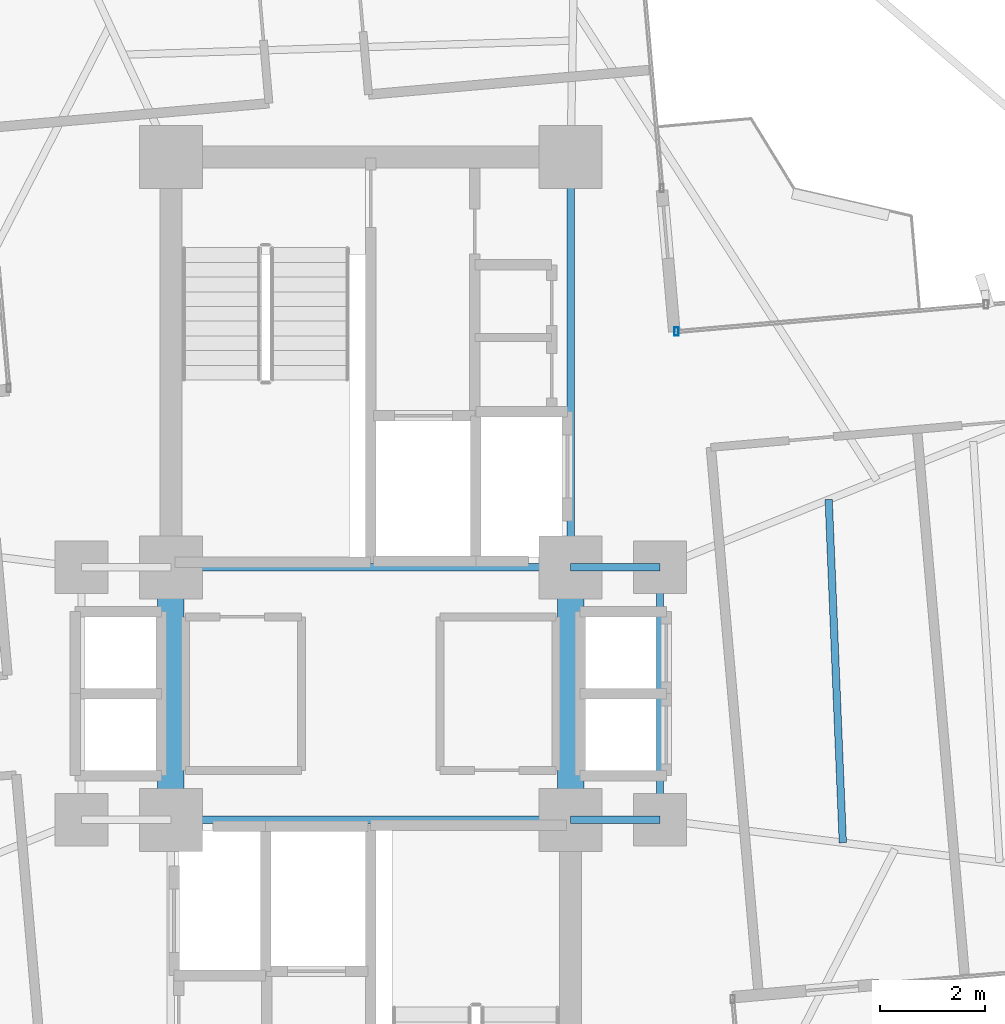
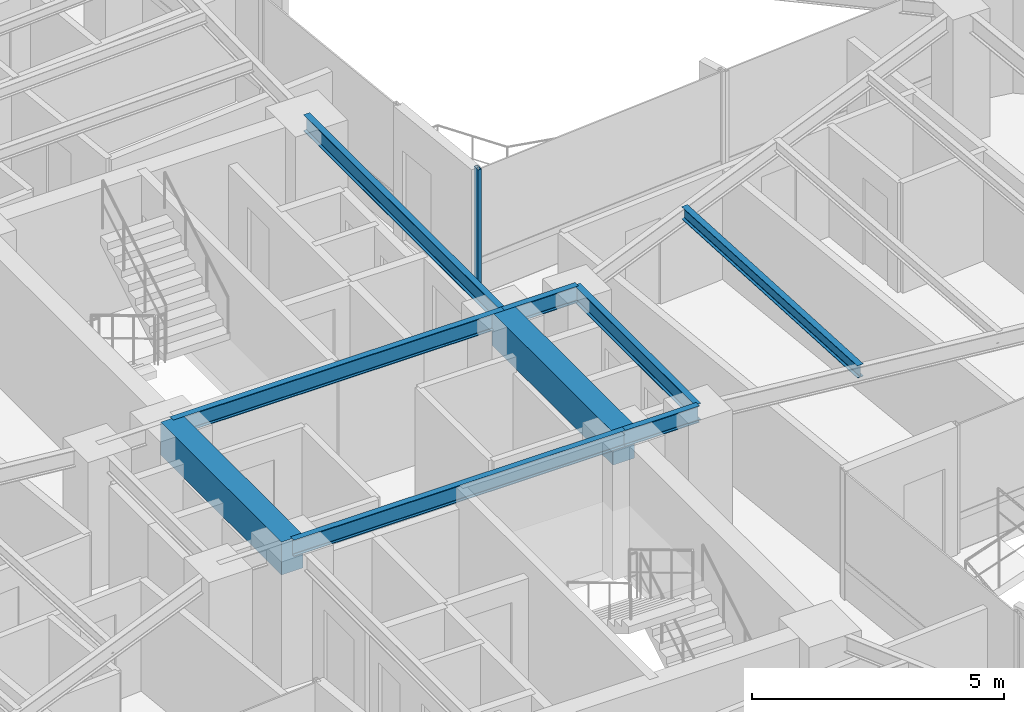
# One storey, part 11 of 24: 9 beams, 1 member, 1 element without a shape of its own.
"""IFC4 building model written with IfcOpenShell, lengths in metres."""

from ifc_helpers import new_model, si_unit, direction, frame, origin, origin_2d, place, context, subcontext, project, spatial, rectangle, hollow_rectangle, i_section, extrude, source, transform, mapped, material, material_profile, profile_set, type_object, element, aggregate, save


model = new_model("IFC4")

# Units and contexts
model_context = context("Model", 3, precision=1e-05, world=origin(), true_north=direction((0.0, 1.0)))
body_context = subcontext(model_context, "Body", "Model", "MODEL_VIEW")
ifc_project = project(units=[si_unit("LENGTHUNIT", "METRE"), si_unit("AREAUNIT", "SQUARE_METRE"), si_unit("VOLUMEUNIT", "CUBIC_METRE"), si_unit("PLANEANGLEUNIT", "RADIAN"), si_unit("MASSUNIT", "GRAM", prefix="KILO")], contexts=[model_context])

# Site, building, storey
site_placement = place(None, origin())
site = spatial("IfcSite", under=ifc_project, at=site_placement, CompositionType="ELEMENT")
building_placement = place(site_placement, origin())
building = spatial("IfcBuilding", under=site, at=building_placement, Name="Sahyath Konkavel Grand Hotel", CompositionType="ELEMENT")
storey_placement = place(building_placement, frame((0.0, 0.0, 153.949951171875)))
storey = spatial("IfcBuildingStorey", under=building, at=storey_placement, Name="L42", CompositionType="ELEMENT", Elevation=153.949951171875)

# Beams
ifc_material_1 = material(Name="Steel E350", Category="steel")
ifc_material_profile_1 = material_profile(ifc_material_1, i_section(OverallWidth=0.139892578125, OverallDepth=0.39990234375, WebThickness=0.0087890625, FlangeThickness=0.01611328125, FilletRadius=0.013916015625, at=origin_2d()), Name="ISMB 400")
ifc_profile_set_1 = profile_set([ifc_material_profile_1], Name="Steel E350")
beam_type_1 = type_object("IfcBeamType", Name="BM-ISMB400", PredefinedType="BEAM", material=ifc_profile_set_1)
shared_shape_1 = source(origin(), body_context, "Body", "SweptSolid", [
    extrude(i_section(OverallWidth=0.139892578125, OverallDepth=0.39990234375, WebThickness=0.0087890625, FlangeThickness=0.01611328125, FilletRadius=0.013916015625, at=origin_2d()), origin(), (0.0, 0.0, 1.0), 7.60009765625),
])
for number, where, z_axis, x_axis, name in (
    (1, (-3.800048828125, 2.39990234375, 2.91015625), (1.0, 0.0, 0.0), (0.0, 1.0, 0.0), "str:bm:L42:NC-S"),
    (2, (-3.800048828125, -2.39990234375, 2.91015625), (1.0, 0.0, 0.0), (0.0, 1.0, 0.0), "str:bm:L42:SC-N"),
):
    element("IfcBeam", number, at=place(storey_placement, frame(where, z_axis=z_axis, x_axis=x_axis)), inside=storey, type_object=beam_type_1, Name=name, PredefinedType="BEAM", context=body_context, shape_type="MappedRepresentation", body=[
        mapped(shared_shape_1, transform((0.0, 0.0, 0.0), scale=1.0)),
    ])
shared_shape_2 = source(origin(), body_context, "Body", "SweptSolid", [
    extrude(i_section(OverallWidth=0.139892578125, OverallDepth=0.39990234375, WebThickness=0.0087890625, FlangeThickness=0.01611328125, FilletRadius=0.013916015625, at=origin_2d()), origin(), (0.0, 0.0, 1.0), 7.800048828125),
])
beam_1_placement = place(storey_placement, frame((3.800048828125, 2.39990234375, 2.91015625), z_axis=(0.0, 1.0, 0.0), x_axis=(-1.0, 0.0, 0.0)))
element("IfcBeam", 3, at=beam_1_placement, inside=storey, type_object=beam_type_1, Name="str:bm:L42:NC-E", PredefinedType="BEAM", context=body_context, shape_type="MappedRepresentation", body=[
    mapped(shared_shape_2, transform((0.0, 0.0, 0.0), scale=1.0)),
])
shared_shape_3 = source(origin(), body_context, "Body", "SweptSolid", [
    extrude(i_section(OverallWidth=0.139892578125, OverallDepth=0.39990234375, WebThickness=0.0087890625, FlangeThickness=0.01611328125, FilletRadius=0.013916015625, at=origin_2d()), origin(), (0.0, 0.0, 1.0), 1.699951171875),
])
for number, where, z_axis, x_axis, name in (
    (4, (3.800048828125, 2.39990234375, 2.91015625), (1.0, 0.0, 0.0), (0.0, 1.0, 0.0), "str:bm:L42:HB-NE"),
    (5, (3.800048828125, -2.39990234375, 2.91015625), (1.0, 0.0, 0.0), (0.0, 1.0, 0.0), "str:bm:L42:HB-SE"),
):
    element("IfcBeam", number, at=place(storey_placement, frame(where, z_axis=z_axis, x_axis=x_axis)), inside=storey, type_object=beam_type_1, Name=name, PredefinedType="BEAM", context=body_context, shape_type="MappedRepresentation", body=[
        mapped(shared_shape_3, transform((0.0, 0.0, 0.0), scale=1.0)),
    ])
shared_shape_4 = source(origin(), body_context, "Body", "SweptSolid", [
    extrude(i_section(OverallWidth=0.139892578125, OverallDepth=0.39990234375, WebThickness=0.0087890625, FlangeThickness=0.01611328125, FilletRadius=0.013916015625, at=origin_2d()), origin(), (0.0, 0.0, 1.0), 4.7998046875),
])
beam_2_placement = place(storey_placement, frame((5.5, -2.39990234375, 2.91015625), z_axis=(0.0, 1.0, 0.0), x_axis=(-1.0, 0.0, 0.0)))
element("IfcBeam", 6, at=beam_2_placement, inside=storey, type_object=beam_type_1, Name="str:bm:L42:HB-E", PredefinedType="BEAM", context=body_context, shape_type="MappedRepresentation", body=[
    mapped(shared_shape_4, transform((0.0, 0.0, 0.0), scale=1.0)),
])
ifc_material_2 = material(Name="Concrete C50/60", Category="concrete")
ifc_material_profile_2 = material_profile(ifc_material_2, rectangle(XDim=0.5, YDim=0.800048828125, at=origin_2d()), Name="RC 500x800")
ifc_profile_set_2 = profile_set([ifc_material_profile_2], Name="Concrete C50/60")
beam_type_2 = type_object("IfcBeamType", Name="BM-CB500x800", PredefinedType="LINTEL", material=ifc_profile_set_2)
shared_shape_5 = source(origin(), body_context, "Body", "SweptSolid", [
    extrude(rectangle(XDim=0.5, YDim=0.800048828125, at=origin_2d()), origin(), (0.0, 0.0, 1.0), 4.7998046875),
])
for number, where, z_axis, x_axis, name in (
    (7, (-3.800048828125, -2.39990234375, 2.7099609375), (0.0, 1.0, 0.0), (-1.0, 0.0, 0.0), "L42 Split-Core Coupling Beam West"),
    (8, (3.800048828125, -2.39990234375, 2.7099609375), (0.0, 1.0, 0.0), (-1.0, 0.0, 0.0), "L42 Split-Core Coupling Beam East"),
):
    element("IfcBeam", number, at=place(storey_placement, frame(where, z_axis=z_axis, x_axis=x_axis)), inside=storey, type_object=beam_type_2, Name=name, PredefinedType="LINTEL", context=body_context, shape_type="MappedRepresentation", body=[
        mapped(shared_shape_5, transform((0.0, 0.0, 0.0), scale=1.0)),
    ])
ifc_material_profile_3 = material_profile(ifc_material_1, i_section(OverallWidth=0.139892578125, OverallDepth=0.300048828125, WebThickness=0.0078125, FlangeThickness=0.01318359375, FilletRadius=0.013916015625, at=origin_2d()), Name="ISMB 300")
ifc_profile_set_3 = profile_set([ifc_material_profile_3], Name="Steel E350")
beam_type_3 = type_object("IfcBeamType", Name="BM-ISMB300", PredefinedType="BEAM", material=ifc_profile_set_3)
shared_shape_6 = source(origin(), body_context, "Body", "SweptSolid", [
    extrude(i_section(OverallWidth=0.139892578125, OverallDepth=0.300048828125, WebThickness=0.0078125, FlangeThickness=0.01318359375, FilletRadius=0.013916015625, at=origin_2d()), origin(), (0.0, 0.0, 1.0), 6.530029296875),
])
beam_3_placement = place(storey_placement, frame((8.9755859375, -2.835205078125, 2.9599609375), z_axis=(-0.04112667768, 0.999153940283, 0.0), x_axis=(-0.999153940283, -0.04112667768, 0.0)))
element("IfcBeam", 9, at=beam_3_placement, inside=storey, type_object=beam_type_3, Name="L42 Secondary Floor Beam E-1", PredefinedType="BEAM", context=body_context, shape_type="MappedRepresentation", body=[
    mapped(shared_shape_6, transform((0.0, 0.0, 0.0), scale=1.0)),
])

# Curtain wall, member
ifc_material_3 = material(Name="Anodised Bronze Aluminium & Low-E Glazing", Category="aluminium")
curtain_wall_type = type_object("IfcCurtainWallType", Name="CW-ZONE3", PredefinedType="NOTDEFINED", material=ifc_material_3)
curtain_wall_placement = place(storey_placement, origin())
curtain_wall = element("IfcCurtainWall", 10, at=curtain_wall_placement, inside=storey, type_object=curtain_wall_type, Name="L42 Unitised Curtain Wall F7", PredefinedType="NOTDEFINED")
ifc_material_4 = material(Name="Anodised Bronze Aluminium", Category="aluminium")
ifc_material_profile_4 = material_profile(ifc_material_4, hollow_rectangle(XDim=0.080078125, YDim=0.159912109375, WallThickness=0.006103515625, at=origin_2d()), Name="RHS 160x80x6")
ifc_profile_set_4 = profile_set([ifc_material_profile_4], Name="Anodised Bronze Aluminium")
member_type = type_object("IfcMemberType", Name="CW-MUL-160", PredefinedType="MULLION", material=ifc_profile_set_4)
shared_shape_7 = source(origin(), body_context, "Body", "SweptSolid", [
    extrude(hollow_rectangle(XDim=0.080078125, YDim=0.159912109375, WallThickness=0.006103515625, at=origin_2d()), origin(), (0.0, 0.0, 1.0), 3.110107421875),
])
member_placement = place(storey_placement, frame((5.812255859375, 6.8828125, 0.0), z_axis=(0.0, 0.0, 1.0), x_axis=(1.0, 0.0, 0.0)))
member = element("IfcMember", 11, at=member_placement, type_object=member_type, Name="L42 Curtain Wall Mullion F7-2", PredefinedType="MULLION", context=body_context, shape_type="MappedRepresentation", body=[
    mapped(shared_shape_7, transform((0.0, 0.0, 0.0), scale=1.0)),
])
aggregate(curtain_wall, [member])

save(model, "model.ifc")
